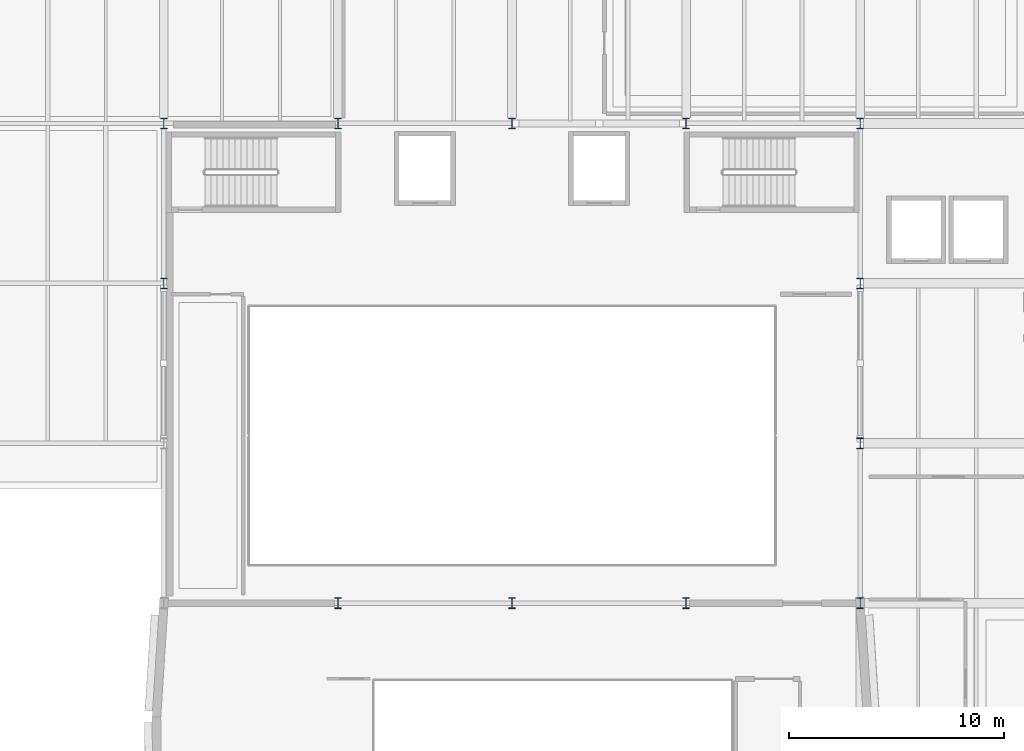
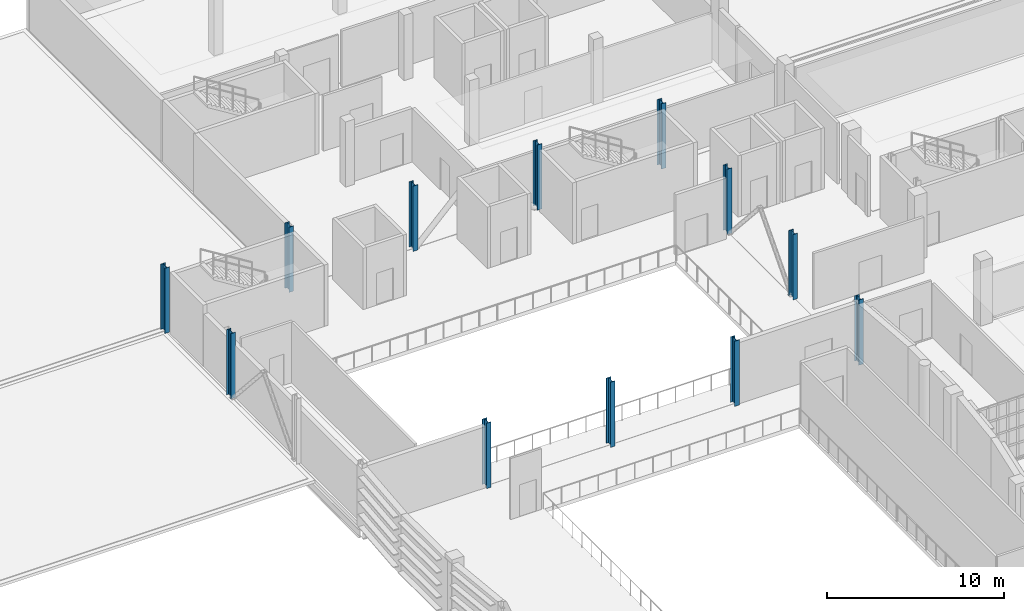
# One storey, part 2 of 73: 12 columns.
"""IFC4 building model written with IfcOpenShell, lengths in metres."""

from ifc_helpers import new_model, si_unit, direction, frame, origin, origin_2d, place, context, subcontext, project, spatial, i_section, extrude, material, material_profile, profile_set, type_object, element, save


model = new_model("IFC4")

# Units and contexts
model_context = context("Model", 3, precision=1e-05, world=origin(), true_north=direction((0.0, 1.0)))
body_context = subcontext(model_context, "Body", "Model", "MODEL_VIEW")
ifc_project = project(units=[si_unit("LENGTHUNIT", "METRE"), si_unit("AREAUNIT", "SQUARE_METRE"), si_unit("VOLUMEUNIT", "CUBIC_METRE"), si_unit("PLANEANGLEUNIT", "RADIAN"), si_unit("MASSUNIT", "GRAM", prefix="KILO")], contexts=[model_context])

# Site, building, storey
site_placement = place(None, origin())
site = spatial("IfcSite", under=ifc_project, at=site_placement, CompositionType="ELEMENT")
building_placement = place(site_placement, origin())
building = spatial("IfcBuilding", under=site, at=building_placement, Name="Kaelora Sail Theatre", CompositionType="ELEMENT")
storey_placement = place(building_placement, frame((0.0, 0.0, 10.199951171875)))
storey = spatial("IfcBuildingStorey", under=building, at=storey_placement, Name="L02", CompositionType="ELEMENT", Elevation=10.199951171875)

# Columns
ifc_material = material(Name="Steel S355", Category="steel")
ifc_material_profile = material_profile(ifc_material, i_section(OverallWidth=0.300048828125, OverallDepth=0.5, WebThickness=0.014404296875, FlangeThickness=0.028076171875, FilletRadius=0.027099609375, at=origin_2d()), Name="HEB 500")
ifc_profile_set = profile_set([ifc_material_profile], Name="Steel S355")
column_type = type_object("IfcColumnType", Name="STR-COL-C-HEB500", PredefinedType="COLUMN", material=ifc_profile_set)
for number, where, z_axis, x_axis, name in (
    (1, (25.800048828125, 75.89990234375, 0.0), (0.0, 0.0, 1.0), (1.0, 0.0, 0.0), "Column 4/K (L02)"),
    (2, (25.800048828125, 83.340087890625, 0.0), (0.0, 0.0, 1.0), (1.0, 0.0, 0.0), "Column 4/L (L02)"),
    (3, (33.89990234375, 61.02001953125, 0.0), (0.0, 0.0, 1.0), (1.0, 0.0, 0.0), "Column 5/I (L02)"),
    (4, (33.89990234375, 83.340087890625, 0.0), (0.0, 0.0, 1.0), (1.0, 0.0, 0.0), "Column 5/L (L02)"),
    (5, (42.0, 61.02001953125, 0.0), (0.0, 0.0, 1.0), (1.0, 0.0, 0.0), "Column 6/I (L02)"),
    (6, (42.0, 83.340087890625, 0.0), (0.0, 0.0, 1.0), (1.0, 0.0, 0.0), "Column 6/L (L02)"),
    (7, (50.10009765625, 61.02001953125, 0.0), (0.0, 0.0, 1.0), (1.0, 0.0, 0.0), "Column 7/I (L02)"),
    (8, (50.10009765625, 83.340087890625, 0.0), (0.0, 0.0, 1.0), (1.0, 0.0, 0.0), "Column 7/L (L02)"),
    (9, (58.199951171875, 61.02001953125, 0.0), (0.0, 0.0, 1.0), (1.0, 0.0, 0.0), "Column 8/I (L02)"),
    (10, (58.199951171875, 68.4599609375, 0.0), (0.0, 0.0, 1.0), (1.0, 0.0, 0.0), "Column 8/J (L02)"),
    (11, (58.199951171875, 75.89990234375, 0.0), (0.0, 0.0, 1.0), (1.0, 0.0, 0.0), "Column 8/K (L02)"),
    (12, (58.199951171875, 83.340087890625, 0.0), (0.0, 0.0, 1.0), (1.0, 0.0, 0.0), "Column 8/L (L02)"),
):
    element("IfcColumn", number, at=place(storey_placement, frame(where, z_axis=z_axis, x_axis=x_axis)), inside=storey, type_object=column_type, Name=name, PredefinedType="COLUMN", context=body_context, shape_type="SweptSolid", body=[
        extrude(i_section(OverallWidth=0.300048828125, OverallDepth=0.5, WebThickness=0.014404296875, FlangeThickness=0.028076171875, FilletRadius=0.027099609375, at=origin_2d()), origin(), (0.0, 0.0, 1.0), 4.5),
    ])

save(model, "model.ifc")
